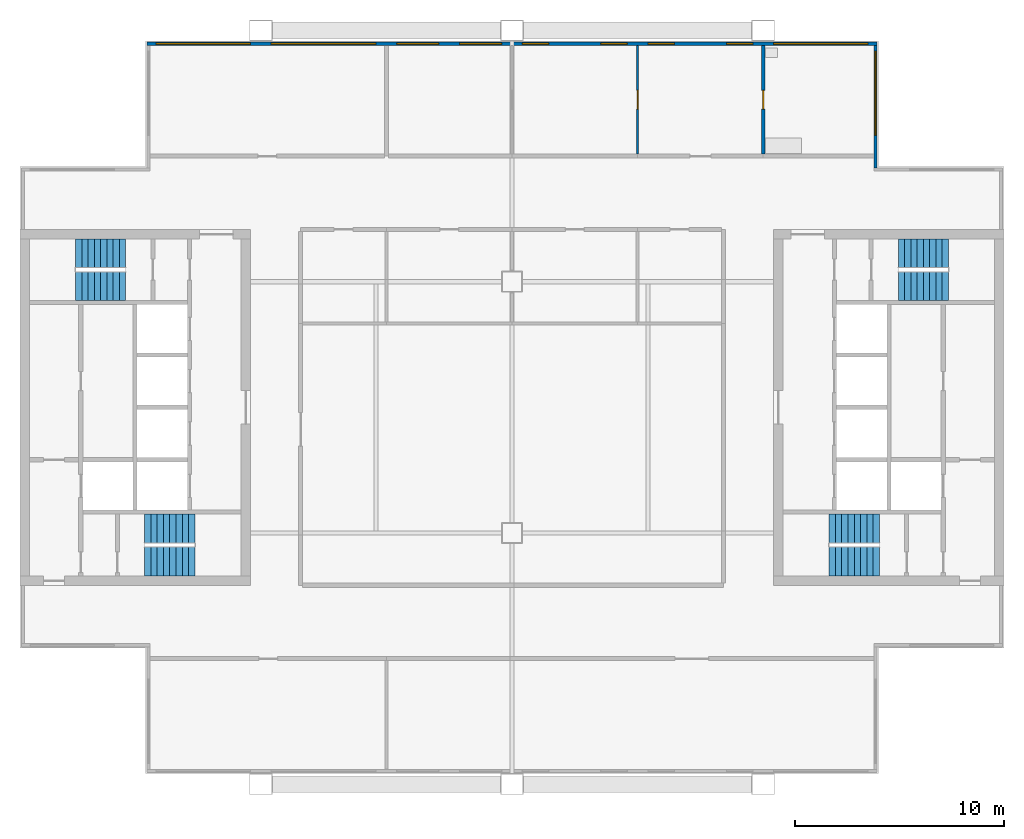
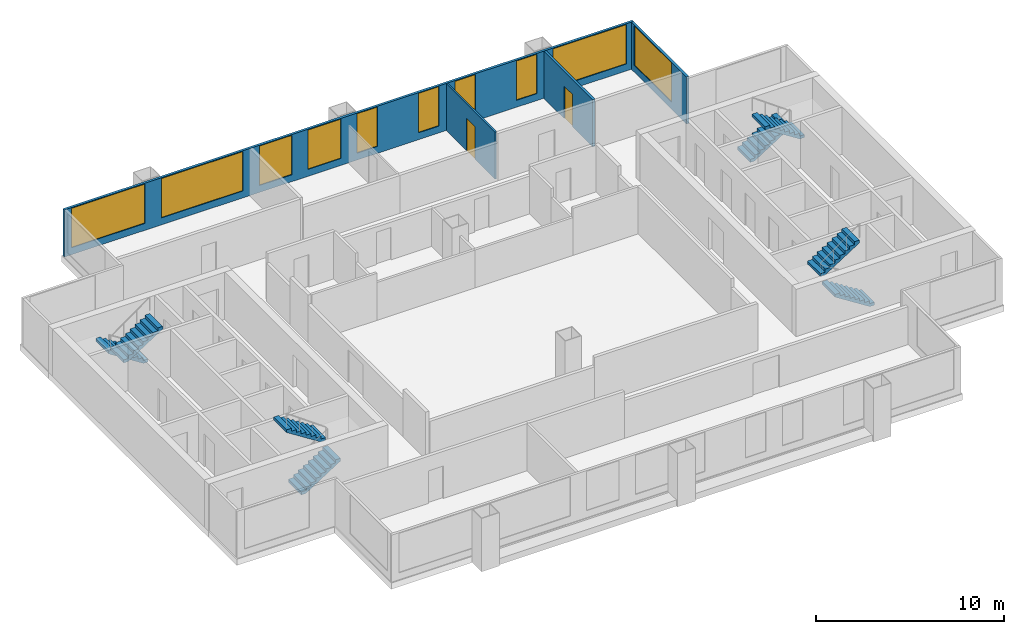
# One storey, part 5 of 7: 10 windows, 8 stair flights, 4 walls, 2 doors, 12 openings, 4 elements without a shape of their own.
"""IFC4 building model written with IfcOpenShell, lengths in metres."""

from ifc_helpers import new_model, si_unit, direction, frame, frame_2d, origin, place, context, subcontext, project, spatial, polyline, rectangle, outline, extrude, material, layer, layer_set, type_object, element, fill, aggregate, save


model = new_model("IFC4")

# Units and contexts
model_context = context("Model", 3, precision=1e-05, world=origin(), true_north=direction((0.0, 1.0)))
body_context = subcontext(model_context, "Body", "Model", "MODEL_VIEW")
ifc_project = project(units=[si_unit("LENGTHUNIT", "METRE"), si_unit("AREAUNIT", "SQUARE_METRE"), si_unit("VOLUMEUNIT", "CUBIC_METRE"), si_unit("PLANEANGLEUNIT", "RADIAN"), si_unit("MASSUNIT", "GRAM", prefix="KILO")], contexts=[model_context])

# Site, building, storey
site_placement = place(None, origin())
site = spatial("IfcSite", under=ifc_project, at=site_placement, CompositionType="ELEMENT")
building_placement = place(site_placement, origin())
building = spatial("IfcBuilding", under=site, at=building_placement, Name="Kitamizu Gate Tower and Museum", CompositionType="ELEMENT")
storey_placement = place(building_placement, frame((0.0, 0.0, 242.10009765625)))
storey = spatial("IfcBuildingStorey", under=building, at=storey_placement, Name="L65", CompositionType="ELEMENT", Elevation=242.10009765625)

# Wall, opening, door
ifc_material_1 = material(Name="Gypsum board on galvanised stud")
ifc_layer_1 = layer(ifc_material_1, 0.10009765625)
ifc_layer_set_1 = layer_set([ifc_layer_1], Name="Gypsum board on galvanised stud")
wall_type_1 = type_object("IfcWallType", Name="Partition 100 NOT RATED", PredefinedType="PARTITIONING", material=ifc_layer_set_1)
wall_1_placement = place(storey_placement, frame((42.0, 42.10009765625, 0.0), z_axis=(0.0, 0.0, 1.0), x_axis=(0.0, 1.0, 0.0)))
wall_1 = element("IfcWall", 1, at=wall_1_placement, inside=storey, type_object=wall_type_1, Name="Partition L65-005", PredefinedType="PARTITIONING", context=body_context, shape_type="SweptSolid", body=[
    extrude(rectangle(XDim=5.179931640625, YDim=0.10009765625, at=frame_2d((2.58984375, 0.0))), origin(), (0.0, 0.0, 1.0), 3.0498046875),
])
opening_1_placement = place(wall_1_placement, frame((2.139892578125, 0.0, 0.0)))
opening_1 = element("IfcOpeningElement", 2, at=opening_1_placement, cuts=wall_1, Name="Opening L65-002", PredefinedType="OPENING", context=body_context, shape_type="SweptSolid", body=[
    extrude(rectangle(XDim=0.89990234375, YDim=2.10009765625, at=frame_2d((0.449951171875, 1.050048828125))), frame((0.0, 0.06005859375, 0.0), z_axis=(0.0, -1.0, 0.0), x_axis=(1.0, 0.0, 0.0)), (0.0, 0.0, 1.0), 0.1201171875),
])
ifc_material_2 = material(Name="Timber door set", Category="wood")
door_type_1 = type_object("IfcDoorType", Name="Room door 900", OperationType="NOTDEFINED", PredefinedType="DOOR", material=ifc_material_2)
door_1_placement = place(opening_1_placement, origin())
door_1 = element("IfcDoor", 3, at=door_1_placement, inside=storey, type_object=door_type_1, Name="Door L65-002", OperationType="SINGLE_SWING_LEFT", OverallHeight=2.10009765625, OverallWidth=0.89990234375, PredefinedType="DOOR", context=body_context, shape_type="SweptSolid", body=[
    extrude(rectangle(XDim=0.89990234375, YDim=2.10009765625, at=frame_2d((0.449951171875, 1.050048828125))), frame((0.0, 0.02490234375, 0.0), z_axis=(0.0, -1.0, 0.0), x_axis=(1.0, 0.0, 0.0)), (0.0, 0.0, 1.0), 0.050048828125),
])
fill(opening_1, door_1)

ifc_material_3 = material(Name="Gypsum board on galvanised stud")
ifc_layer_2 = layer(ifc_material_3, 0.14990234375)
ifc_layer_set_2 = layer_set([ifc_layer_2], Name="Gypsum board on galvanised stud")
wall_type_2 = type_object("IfcWallType", Name="Partition 150", PredefinedType="PARTITIONING", material=ifc_layer_set_2)
wall_2_placement = place(storey_placement, frame((48.0, 42.10009765625, 0.0), z_axis=(0.0, 0.0, 1.0), x_axis=(0.0, 1.0, 0.0)))
wall_2 = element("IfcWall", 4, at=wall_2_placement, inside=storey, type_object=wall_type_2, Name="Partition L65-007", PredefinedType="PARTITIONING", context=body_context, shape_type="SweptSolid", body=[
    extrude(rectangle(XDim=5.179931640625, YDim=0.14990234375, at=frame_2d((2.58984375, 0.0))), origin(), (0.0, 0.0, 1.0), 3.0498046875),
])
opening_2_placement = place(wall_2_placement, frame((2.139892578125, 0.0, 0.0)))
opening_2 = element("IfcOpeningElement", 5, at=opening_2_placement, cuts=wall_2, Name="Opening L65-004", PredefinedType="OPENING", context=body_context, shape_type="SweptSolid", body=[
    extrude(rectangle(XDim=0.89990234375, YDim=2.10009765625, at=frame_2d((0.449951171875, 1.050048828125))), frame((0.0, 0.0849609375, 0.0), z_axis=(0.0, -1.0, 0.0), x_axis=(1.0, 0.0, 0.0)), (0.0, 0.0, 1.0), 0.169921875),
])
ifc_material_4 = material(Name="Timber door set", Category="wood")
door_type_2 = type_object("IfcDoorType", Name="Bathroom door 900", OperationType="NOTDEFINED", PredefinedType="DOOR", material=ifc_material_4)
door_2_placement = place(opening_2_placement, frame((0.89990234375, 0.0, 0.0), x_axis=(-1.0, 0.0, 0.0)))
door_2 = element("IfcDoor", 6, at=door_2_placement, inside=storey, type_object=door_type_2, Name="Bathroom door L65-004", OperationType="SINGLE_SWING_RIGHT", OverallHeight=2.10009765625, OverallWidth=0.89990234375, PredefinedType="DOOR", context=body_context, shape_type="SweptSolid", body=[
    extrude(rectangle(XDim=0.89990234375, YDim=2.10009765625, at=frame_2d((0.449951171875, 1.050048828125))), frame((0.0, 0.02490234375, 0.0), z_axis=(0.0, -1.0, 0.0), x_axis=(1.0, 0.0, 0.0)), (0.0, 0.0, 1.0), 0.050048828125),
])
fill(opening_2, door_2)

# Wall, opening, window
ifc_material_5 = material(Name="Bronze anodised aluminium frame with insulated spandrel and tinted glass", Category="aluminium")
ifc_layer_3 = layer(ifc_material_5, 0.14990234375)
ifc_layer_set_3 = layer_set([ifc_layer_3], Name="Bronze anodised aluminium frame with insulated spandrel and tinted glass")
wall_type_3 = type_object("IfcWallType", Name="WINDOW WALL 150 BRONZE FRAME EI 30", PredefinedType="ELEMENTEDWALL", material=ifc_layer_set_3)
wall_3_placement = place(storey_placement, frame((53.364990234375, 41.43994140625, 0.0), z_axis=(0.0, 0.0, 1.0), x_axis=(0.0, 1.0, 0.0)))
wall_3 = element("IfcWall", 7, at=wall_3_placement, inside=storey, type_object=wall_type_3, Name="Window wall east L65", PredefinedType="ELEMENTEDWALL", context=body_context, shape_type="SweptSolid", body=[
    extrude(rectangle(XDim=5.85009765625, YDim=0.14990234375, at=frame_2d((2.925048828125, 0.0))), origin(), (0.0, 0.0, 1.0), 3.0498046875),
])
opening_3_placement = place(wall_3_placement, frame((1.56005859375, 0.0, 0.449951171875)))
opening_3 = element("IfcOpeningElement", 8, at=opening_3_placement, cuts=wall_3, Name="Opening W16", PredefinedType="OPENING", context=body_context, shape_type="SweptSolid", body=[
    extrude(rectangle(XDim=4.0, YDim=2.550048828125, at=frame_2d((2.0, 1.27490234375))), frame((0.0, 0.0849609375, 0.0), z_axis=(0.0, -1.0, 0.0), x_axis=(1.0, 0.0, 0.0)), (0.0, 0.0, 1.0), 0.169921875),
])
ifc_material_6 = material(Name="Bronze anodised aluminium frame, tinted triple glazing", Category="aluminium")
window_type_1 = type_object("IfcWindowType", Name="WINDOW 4000 x 2550 SILL 450", PartitioningType="SINGLE_PANEL", PredefinedType="WINDOW", material=ifc_material_6)
window_1_placement = place(opening_3_placement, origin())
window_1 = element("IfcWindow", 9, at=window_1_placement, inside=storey, type_object=window_type_1, Name="Window W16 L65", OverallHeight=2.550048828125, OverallWidth=4.0, PartitioningType="SINGLE_PANEL", PredefinedType="WINDOW", context=body_context, shape_type="SweptSolid", body=[
    extrude(rectangle(XDim=4.0, YDim=2.550048828125, at=frame_2d((2.0, 1.27490234375))), frame((0.0, 0.030029296875, 0.0), z_axis=(0.0, -1.0, 0.0), x_axis=(1.0, 0.0, 0.0)), (0.0, 0.0, 1.0), 0.06005859375),
])
fill(opening_3, window_1)

# Wall, openings, windows
wall_4_placement = place(storey_placement, frame((18.56005859375, 47.364990234375, 0.0), z_axis=(0.0, 0.0, 1.0), x_axis=(1.0, 0.0, 0.0)))
wall_4 = element("IfcWall", 10, at=wall_4_placement, inside=storey, type_object=wall_type_3, Name="Window wall north L65", PredefinedType="ELEMENTEDWALL", context=body_context, shape_type="SweptSolid", body=[
    extrude(rectangle(XDim=34.8798828125, YDim=0.14990234375, at=frame_2d((17.43994140625, 0.0))), origin(), (0.0, 0.0, 1.0), 3.0498046875),
])
opening_4_placement = place(wall_4_placement, frame((0.43994140625, 0.0, 0.449951171875)))
opening_4 = element("IfcOpeningElement", 11, at=opening_4_placement, cuts=wall_4, Name="Opening W15", PredefinedType="OPENING", context=body_context, shape_type="SweptSolid", body=[
    extrude(rectangle(XDim=4.5, YDim=2.550048828125, at=frame_2d((2.25, 1.27490234375))), frame((0.0, 0.0849609375, 0.0), z_axis=(0.0, -1.0, 0.0), x_axis=(1.0, 0.0, 0.0)), (0.0, 0.0, 1.0), 0.169921875),
])
opening_5_placement = place(wall_4_placement, frame((5.93994140625, 0.0, 0.449951171875)))
opening_5 = element("IfcOpeningElement", 12, at=opening_5_placement, cuts=wall_4, Name="Opening W1", PredefinedType="OPENING", context=body_context, shape_type="SweptSolid", body=[
    extrude(rectangle(XDim=5.0, YDim=2.550048828125, at=frame_2d((2.5, 1.27490234375))), frame((0.0, 0.0849609375, 0.0), z_axis=(0.0, -1.0, 0.0), x_axis=(1.0, 0.0, 0.0)), (0.0, 0.0, 1.0), 0.169921875),
])
opening_6_placement = place(wall_4_placement, frame((11.93994140625, 0.0, 0.449951171875)))
opening_6 = element("IfcOpeningElement", 13, at=opening_6_placement, cuts=wall_4, Name="Opening W2", PredefinedType="OPENING", context=body_context, shape_type="SweptSolid", body=[
    extrude(rectangle(XDim=2.0, YDim=2.550048828125, at=frame_2d((1.0, 1.27490234375))), frame((0.0, 0.0849609375, 0.0), z_axis=(0.0, -1.0, 0.0), x_axis=(1.0, 0.0, 0.0)), (0.0, 0.0, 1.0), 0.169921875),
])
opening_7_placement = place(wall_4_placement, frame((14.93994140625, 0.0, 0.449951171875)))
opening_7 = element("IfcOpeningElement", 14, at=opening_7_placement, cuts=wall_4, Name="Opening W2", PredefinedType="OPENING", context=body_context, shape_type="SweptSolid", body=[
    extrude(rectangle(XDim=2.0, YDim=2.550048828125, at=frame_2d((1.0, 1.27490234375))), frame((0.0, 0.0849609375, 0.0), z_axis=(0.0, -1.0, 0.0), x_axis=(1.0, 0.0, 0.0)), (0.0, 0.0, 1.0), 0.169921875),
])
opening_8_placement = place(wall_4_placement, frame((17.93994140625, 0.0, 0.449951171875)))
opening_8 = element("IfcOpeningElement", 15, at=opening_8_placement, cuts=wall_4, Name="Opening W27", PredefinedType="OPENING", context=body_context, shape_type="SweptSolid", body=[
    extrude(rectangle(XDim=1.25, YDim=2.550048828125, at=frame_2d((0.625, 1.27490234375))), frame((0.0, 0.0849609375, 0.0), z_axis=(0.0, -1.0, 0.0), x_axis=(1.0, 0.0, 0.0)), (0.0, 0.0, 1.0), 0.169921875),
])
opening_9_placement = place(wall_4_placement, frame((21.68994140625, 0.0, 0.449951171875)))
opening_9 = element("IfcOpeningElement", 16, at=opening_9_placement, cuts=wall_4, Name="Opening W27", PredefinedType="OPENING", context=body_context, shape_type="SweptSolid", body=[
    extrude(rectangle(XDim=1.25, YDim=2.550048828125, at=frame_2d((0.625, 1.27490234375))), frame((0.0, 0.0849609375, 0.0), z_axis=(0.0, -1.0, 0.0), x_axis=(1.0, 0.0, 0.0)), (0.0, 0.0, 1.0), 0.169921875),
])
opening_10_placement = place(wall_4_placement, frame((23.93994140625, 0.0, 0.449951171875)))
opening_10 = element("IfcOpeningElement", 17, at=opening_10_placement, cuts=wall_4, Name="Opening W27", PredefinedType="OPENING", context=body_context, shape_type="SweptSolid", body=[
    extrude(rectangle(XDim=1.25, YDim=2.550048828125, at=frame_2d((0.625, 1.27490234375))), frame((0.0, 0.0849609375, 0.0), z_axis=(0.0, -1.0, 0.0), x_axis=(1.0, 0.0, 0.0)), (0.0, 0.0, 1.0), 0.169921875),
])
opening_11_placement = place(wall_4_placement, frame((27.68994140625, 0.0, 0.449951171875)))
opening_11 = element("IfcOpeningElement", 18, at=opening_11_placement, cuts=wall_4, Name="Opening W27", PredefinedType="OPENING", context=body_context, shape_type="SweptSolid", body=[
    extrude(rectangle(XDim=1.25, YDim=2.550048828125, at=frame_2d((0.625, 1.27490234375))), frame((0.0, 0.0849609375, 0.0), z_axis=(0.0, -1.0, 0.0), x_axis=(1.0, 0.0, 0.0)), (0.0, 0.0, 1.0), 0.169921875),
])
opening_12_placement = place(wall_4_placement, frame((29.93994140625, 0.0, 0.449951171875)))
opening_12 = element("IfcOpeningElement", 19, at=opening_12_placement, cuts=wall_4, Name="Opening W15", PredefinedType="OPENING", context=body_context, shape_type="SweptSolid", body=[
    extrude(rectangle(XDim=4.5, YDim=2.550048828125, at=frame_2d((2.25, 1.27490234375))), frame((0.0, 0.0849609375, 0.0), z_axis=(0.0, -1.0, 0.0), x_axis=(1.0, 0.0, 0.0)), (0.0, 0.0, 1.0), 0.169921875),
])
ifc_material_7 = material(Name="Bronze anodised aluminium frame, tinted triple glazing", Category="aluminium")
window_type_2 = type_object("IfcWindowType", Name="WINDOW 1250 x 2550 SILL 450", PartitioningType="SINGLE_PANEL", PredefinedType="WINDOW", material=ifc_material_7)
window_2_placement = place(opening_8_placement, origin())
window_2 = element("IfcWindow", 20, at=window_2_placement, inside=storey, type_object=window_type_2, Name="Window W27 L65", OverallHeight=2.550048828125, OverallWidth=1.25, PartitioningType="SINGLE_PANEL", PredefinedType="WINDOW", context=body_context, shape_type="SweptSolid", body=[
    extrude(rectangle(XDim=1.25, YDim=2.550048828125, at=frame_2d((0.625, 1.27490234375))), frame((0.0, 0.030029296875, 0.0), z_axis=(0.0, -1.0, 0.0), x_axis=(1.0, 0.0, 0.0)), (0.0, 0.0, 1.0), 0.06005859375),
])
fill(opening_8, window_2)
window_3_placement = place(opening_9_placement, origin())
window_3 = element("IfcWindow", 21, at=window_3_placement, inside=storey, type_object=window_type_2, Name="Window W27 L65", OverallHeight=2.550048828125, OverallWidth=1.25, PartitioningType="SINGLE_PANEL", PredefinedType="WINDOW", context=body_context, shape_type="SweptSolid", body=[
    extrude(rectangle(XDim=1.25, YDim=2.550048828125, at=frame_2d((0.625, 1.27490234375))), frame((0.0, 0.030029296875, 0.0), z_axis=(0.0, -1.0, 0.0), x_axis=(1.0, 0.0, 0.0)), (0.0, 0.0, 1.0), 0.06005859375),
])
fill(opening_9, window_3)
window_4_placement = place(opening_10_placement, origin())
window_4 = element("IfcWindow", 22, at=window_4_placement, inside=storey, type_object=window_type_2, Name="Window W27 L65", OverallHeight=2.550048828125, OverallWidth=1.25, PartitioningType="SINGLE_PANEL", PredefinedType="WINDOW", context=body_context, shape_type="SweptSolid", body=[
    extrude(rectangle(XDim=1.25, YDim=2.550048828125, at=frame_2d((0.625, 1.27490234375))), frame((0.0, 0.030029296875, 0.0), z_axis=(0.0, -1.0, 0.0), x_axis=(1.0, 0.0, 0.0)), (0.0, 0.0, 1.0), 0.06005859375),
])
fill(opening_10, window_4)
window_5_placement = place(opening_11_placement, origin())
window_5 = element("IfcWindow", 23, at=window_5_placement, inside=storey, type_object=window_type_2, Name="Window W27 L65", OverallHeight=2.550048828125, OverallWidth=1.25, PartitioningType="SINGLE_PANEL", PredefinedType="WINDOW", context=body_context, shape_type="SweptSolid", body=[
    extrude(rectangle(XDim=1.25, YDim=2.550048828125, at=frame_2d((0.625, 1.27490234375))), frame((0.0, 0.030029296875, 0.0), z_axis=(0.0, -1.0, 0.0), x_axis=(1.0, 0.0, 0.0)), (0.0, 0.0, 1.0), 0.06005859375),
])
fill(opening_11, window_5)
ifc_material_8 = material(Name="Bronze anodised aluminium frame, tinted triple glazing", Category="aluminium")
window_type_3 = type_object("IfcWindowType", Name="WINDOW 2000 x 2550 SILL 450", PartitioningType="SINGLE_PANEL", PredefinedType="WINDOW", material=ifc_material_8)
window_6_placement = place(opening_6_placement, origin())
window_6 = element("IfcWindow", 24, at=window_6_placement, inside=storey, type_object=window_type_3, Name="Window W2 L65", OverallHeight=2.550048828125, OverallWidth=2.0, PartitioningType="SINGLE_PANEL", PredefinedType="WINDOW", context=body_context, shape_type="SweptSolid", body=[
    extrude(rectangle(XDim=2.0, YDim=2.550048828125, at=frame_2d((1.0, 1.27490234375))), frame((0.0, 0.030029296875, 0.0), z_axis=(0.0, -1.0, 0.0), x_axis=(1.0, 0.0, 0.0)), (0.0, 0.0, 1.0), 0.06005859375),
])
fill(opening_6, window_6)
window_7_placement = place(opening_7_placement, origin())
window_7 = element("IfcWindow", 25, at=window_7_placement, inside=storey, type_object=window_type_3, Name="Window W2 L65", OverallHeight=2.550048828125, OverallWidth=2.0, PartitioningType="SINGLE_PANEL", PredefinedType="WINDOW", context=body_context, shape_type="SweptSolid", body=[
    extrude(rectangle(XDim=2.0, YDim=2.550048828125, at=frame_2d((1.0, 1.27490234375))), frame((0.0, 0.030029296875, 0.0), z_axis=(0.0, -1.0, 0.0), x_axis=(1.0, 0.0, 0.0)), (0.0, 0.0, 1.0), 0.06005859375),
])
fill(opening_7, window_7)
ifc_material_9 = material(Name="Bronze anodised aluminium frame, tinted triple glazing", Category="aluminium")
window_type_4 = type_object("IfcWindowType", Name="WINDOW 4500 x 2550 SILL 450", PartitioningType="SINGLE_PANEL", PredefinedType="WINDOW", material=ifc_material_9)
window_8_placement = place(opening_4_placement, origin())
window_8 = element("IfcWindow", 26, at=window_8_placement, inside=storey, type_object=window_type_4, Name="Window W15 L65", OverallHeight=2.550048828125, OverallWidth=4.5, PartitioningType="SINGLE_PANEL", PredefinedType="WINDOW", context=body_context, shape_type="SweptSolid", body=[
    extrude(rectangle(XDim=4.5, YDim=2.550048828125, at=frame_2d((2.25, 1.27490234375))), frame((0.0, 0.030029296875, 0.0), z_axis=(0.0, -1.0, 0.0), x_axis=(1.0, 0.0, 0.0)), (0.0, 0.0, 1.0), 0.06005859375),
])
fill(opening_4, window_8)
window_9_placement = place(opening_12_placement, origin())
window_9 = element("IfcWindow", 27, at=window_9_placement, inside=storey, type_object=window_type_4, Name="Window W15 L65", OverallHeight=2.550048828125, OverallWidth=4.5, PartitioningType="SINGLE_PANEL", PredefinedType="WINDOW", context=body_context, shape_type="SweptSolid", body=[
    extrude(rectangle(XDim=4.5, YDim=2.550048828125, at=frame_2d((2.25, 1.27490234375))), frame((0.0, 0.030029296875, 0.0), z_axis=(0.0, -1.0, 0.0), x_axis=(1.0, 0.0, 0.0)), (0.0, 0.0, 1.0), 0.06005859375),
])
fill(opening_12, window_9)
ifc_material_10 = material(Name="Bronze anodised aluminium frame, tinted triple glazing", Category="aluminium")
window_type_5 = type_object("IfcWindowType", Name="WINDOW 5000 x 2550 SILL 450", PartitioningType="SINGLE_PANEL", PredefinedType="WINDOW", material=ifc_material_10)
window_10_placement = place(opening_5_placement, origin())
window_10 = element("IfcWindow", 28, at=window_10_placement, inside=storey, type_object=window_type_5, Name="Window W1 L65", OverallHeight=2.550048828125, OverallWidth=5.0, PartitioningType="SINGLE_PANEL", PredefinedType="WINDOW", context=body_context, shape_type="SweptSolid", body=[
    extrude(rectangle(XDim=5.0, YDim=2.550048828125, at=frame_2d((2.5, 1.27490234375))), frame((0.0, 0.030029296875, 0.0), z_axis=(0.0, -1.0, 0.0), x_axis=(1.0, 0.0, 0.0)), (0.0, 0.0, 1.0), 0.06005859375),
])
fill(opening_5, window_10)

# Stair, stair flights
ifc_material_11 = material(Name="Concrete Fc42", Category="concrete")
stair_type = type_object("IfcStairType", Name="Exit stair 1375 wide 192 rise 300 going", PredefinedType="HALF_TURN_STAIR", material=ifc_material_11)
stair_1_placement = place(storey_placement, origin())
stair_1 = element("IfcStair", 29, at=stair_1_placement, inside=storey, type_object=stair_type, Name="Exit stair ST1", PredefinedType="HALF_TURN_STAIR")
ifc_material_12 = material(Name="Concrete Fc42", Category="concrete")
stair_flight_type = type_object("IfcStairFlightType", Name="Stair flight 1375 wide 192 rise 300 going", PredefinedType="STRAIGHT", material=ifc_material_12)
stair_flight_1_placement = place(storey_placement, frame((18.449951171875, 22.637451171875, 0.0), z_axis=(0.0, 0.0, 1.0), x_axis=(1.0, 0.0, 0.0)))
stair_flight_1 = element("IfcStairFlight", 30, at=stair_flight_1_placement, type_object=stair_flight_type, Name="ST1 flight 1", NumberOfRisers=9, NumberOfTreads=8, PredefinedType="STRAIGHT", RiserHeight=0.191666667, TreadLength=0.3, context=body_context, shape_type="SweptSolid", body=[
    extrude(outline(polyline([(0.0, 0.0), (0.0, 0.191650390625), (0.300048828125, 0.191650390625), (0.300048828125, 0.38330078125), (0.60009765625, 0.38330078125), (0.60009765625, 0.574951171875), (0.89990234375, 0.574951171875), (0.89990234375, 0.7666015625), (1.199951171875, 0.7666015625), (1.199951171875, 0.958251953125), (1.5, 0.958251953125), (1.5, 1.14990234375), (1.800048828125, 1.14990234375), (1.800048828125, 1.341552734375), (2.10009765625, 1.341552734375), (2.10009765625, 1.533447265625), (2.39990234375, 1.533447265625), (2.39990234375, 1.72509765625), (2.39990234375, 1.35546875), (0.2783203125, 0.0), (0.0, 0.0)])), frame((0.0, 0.6875, 0.0), z_axis=(0.0, -1.0, 0.0), x_axis=(1.0, 0.0, 0.0)), (0.0, 0.0, 1.0), 1.375),
])
stair_flight_2_placement = place(storey_placement, frame((20.85009765625, 24.21240234375, 1.724853515625), z_axis=(0.0, 0.0, 1.0), x_axis=(-1.0, 0.0, 0.0)))
stair_flight_2 = element("IfcStairFlight", 31, at=stair_flight_2_placement, type_object=stair_flight_type, Name="ST1 flight 2", NumberOfRisers=9, NumberOfTreads=8, PredefinedType="STRAIGHT", RiserHeight=0.191666667, TreadLength=0.3, context=body_context, shape_type="SweptSolid", body=[
    extrude(outline(polyline([(0.0, 0.0), (0.0, 0.191650390625), (0.300048828125, 0.191650390625), (0.300048828125, 0.38330078125), (0.60009765625, 0.38330078125), (0.60009765625, 0.574951171875), (0.89990234375, 0.574951171875), (0.89990234375, 0.7666015625), (1.199951171875, 0.7666015625), (1.199951171875, 0.958251953125), (1.5, 0.958251953125), (1.5, 1.14990234375), (1.800048828125, 1.14990234375), (1.800048828125, 1.341552734375), (2.10009765625, 1.341552734375), (2.10009765625, 1.533447265625), (2.39990234375, 1.533447265625), (2.39990234375, 1.72509765625), (2.39990234375, 1.35546875), (0.2783203125, 0.0), (0.0, 0.0)])), frame((0.0, 0.6875, 0.0), z_axis=(0.0, -1.0, 0.0), x_axis=(1.0, 0.0, 0.0)), (0.0, 0.0, 1.0), 1.375),
])
aggregate(stair_1, [stair_flight_1, stair_flight_2])

stair_2_placement = place(storey_placement, origin())
stair_2 = element("IfcStair", 32, at=stair_2_placement, inside=storey, type_object=stair_type, Name="Exit stair ST2", PredefinedType="HALF_TURN_STAIR")
stair_flight_3_placement = place(storey_placement, frame((17.550048828125, 37.362548828125, 0.0), z_axis=(0.0, 0.0, 1.0), x_axis=(-1.0, 0.0, 0.0)))
stair_flight_3 = element("IfcStairFlight", 33, at=stair_flight_3_placement, type_object=stair_flight_type, Name="ST2 flight 1", NumberOfRisers=9, NumberOfTreads=8, PredefinedType="STRAIGHT", RiserHeight=0.191666667, TreadLength=0.3, context=body_context, shape_type="SweptSolid", body=[
    extrude(outline(polyline([(0.0, 0.0), (0.0, 0.191650390625), (0.300048828125, 0.191650390625), (0.300048828125, 0.38330078125), (0.60009765625, 0.38330078125), (0.60009765625, 0.574951171875), (0.89990234375, 0.574951171875), (0.89990234375, 0.7666015625), (1.199951171875, 0.7666015625), (1.199951171875, 0.958251953125), (1.5, 0.958251953125), (1.5, 1.14990234375), (1.800048828125, 1.14990234375), (1.800048828125, 1.341552734375), (2.10009765625, 1.341552734375), (2.10009765625, 1.533447265625), (2.39990234375, 1.533447265625), (2.39990234375, 1.72509765625), (2.39990234375, 1.35546875), (0.2783203125, 0.0), (0.0, 0.0)])), frame((0.0, 0.6875, 0.0), z_axis=(0.0, -1.0, 0.0), x_axis=(1.0, 0.0, 0.0)), (0.0, 0.0, 1.0), 1.375),
])
stair_flight_4_placement = place(storey_placement, frame((15.14990234375, 35.78759765625, 1.724853515625), z_axis=(0.0, 0.0, 1.0), x_axis=(1.0, 0.0, 0.0)))
stair_flight_4 = element("IfcStairFlight", 34, at=stair_flight_4_placement, type_object=stair_flight_type, Name="ST2 flight 2", NumberOfRisers=9, NumberOfTreads=8, PredefinedType="STRAIGHT", RiserHeight=0.191666667, TreadLength=0.3, context=body_context, shape_type="SweptSolid", body=[
    extrude(outline(polyline([(0.0, 0.0), (0.0, 0.191650390625), (0.300048828125, 0.191650390625), (0.300048828125, 0.38330078125), (0.60009765625, 0.38330078125), (0.60009765625, 0.574951171875), (0.89990234375, 0.574951171875), (0.89990234375, 0.7666015625), (1.199951171875, 0.7666015625), (1.199951171875, 0.958251953125), (1.5, 0.958251953125), (1.5, 1.14990234375), (1.800048828125, 1.14990234375), (1.800048828125, 1.341552734375), (2.10009765625, 1.341552734375), (2.10009765625, 1.533447265625), (2.39990234375, 1.533447265625), (2.39990234375, 1.72509765625), (2.39990234375, 1.35546875), (0.2783203125, 0.0), (0.0, 0.0)])), frame((0.0, 0.6875, 0.0), z_axis=(0.0, -1.0, 0.0), x_axis=(1.0, 0.0, 0.0)), (0.0, 0.0, 1.0), 1.375),
])
aggregate(stair_2, [stair_flight_3, stair_flight_4])

stair_3_placement = place(storey_placement, origin())
stair_3 = element("IfcStair", 35, at=stair_3_placement, inside=storey, type_object=stair_type, Name="Exit stair ST3", PredefinedType="HALF_TURN_STAIR")
stair_flight_5_placement = place(storey_placement, frame((53.550048828125, 22.637451171875, 0.0), z_axis=(0.0, 0.0, 1.0), x_axis=(-1.0, 0.0, 0.0)))
stair_flight_5 = element("IfcStairFlight", 36, at=stair_flight_5_placement, type_object=stair_flight_type, Name="ST3 flight 1", NumberOfRisers=9, NumberOfTreads=8, PredefinedType="STRAIGHT", RiserHeight=0.191666667, TreadLength=0.3, context=body_context, shape_type="SweptSolid", body=[
    extrude(outline(polyline([(0.0, 0.0), (0.0, 0.191650390625), (0.300048828125, 0.191650390625), (0.300048828125, 0.38330078125), (0.60009765625, 0.38330078125), (0.60009765625, 0.574951171875), (0.89990234375, 0.574951171875), (0.89990234375, 0.7666015625), (1.199951171875, 0.7666015625), (1.199951171875, 0.958251953125), (1.5, 0.958251953125), (1.5, 1.14990234375), (1.800048828125, 1.14990234375), (1.800048828125, 1.341552734375), (2.10009765625, 1.341552734375), (2.10009765625, 1.533447265625), (2.39990234375, 1.533447265625), (2.39990234375, 1.72509765625), (2.39990234375, 1.35546875), (0.2783203125, 0.0), (0.0, 0.0)])), frame((0.0, 0.6875, 0.0), z_axis=(0.0, -1.0, 0.0), x_axis=(1.0, 0.0, 0.0)), (0.0, 0.0, 1.0), 1.375),
])
stair_flight_6_placement = place(storey_placement, frame((51.14990234375, 24.21240234375, 1.724853515625), z_axis=(0.0, 0.0, 1.0), x_axis=(1.0, 0.0, 0.0)))
stair_flight_6 = element("IfcStairFlight", 37, at=stair_flight_6_placement, type_object=stair_flight_type, Name="ST3 flight 2", NumberOfRisers=9, NumberOfTreads=8, PredefinedType="STRAIGHT", RiserHeight=0.191666667, TreadLength=0.3, context=body_context, shape_type="SweptSolid", body=[
    extrude(outline(polyline([(0.0, 0.0), (0.0, 0.191650390625), (0.300048828125, 0.191650390625), (0.300048828125, 0.38330078125), (0.60009765625, 0.38330078125), (0.60009765625, 0.574951171875), (0.89990234375, 0.574951171875), (0.89990234375, 0.7666015625), (1.199951171875, 0.7666015625), (1.199951171875, 0.958251953125), (1.5, 0.958251953125), (1.5, 1.14990234375), (1.800048828125, 1.14990234375), (1.800048828125, 1.341552734375), (2.10009765625, 1.341552734375), (2.10009765625, 1.533447265625), (2.39990234375, 1.533447265625), (2.39990234375, 1.72509765625), (2.39990234375, 1.35546875), (0.2783203125, 0.0), (0.0, 0.0)])), frame((0.0, 0.6875, 0.0), z_axis=(0.0, -1.0, 0.0), x_axis=(1.0, 0.0, 0.0)), (0.0, 0.0, 1.0), 1.375),
])
aggregate(stair_3, [stair_flight_5, stair_flight_6])

stair_4_placement = place(storey_placement, origin())
stair_4 = element("IfcStair", 38, at=stair_4_placement, inside=storey, type_object=stair_type, Name="Exit stair ST4", PredefinedType="HALF_TURN_STAIR")
stair_flight_7_placement = place(storey_placement, frame((54.449951171875, 37.362548828125, 0.0), z_axis=(0.0, 0.0, 1.0), x_axis=(1.0, 0.0, 0.0)))
stair_flight_7 = element("IfcStairFlight", 39, at=stair_flight_7_placement, type_object=stair_flight_type, Name="ST4 flight 1", NumberOfRisers=9, NumberOfTreads=8, PredefinedType="STRAIGHT", RiserHeight=0.191666667, TreadLength=0.3, context=body_context, shape_type="SweptSolid", body=[
    extrude(outline(polyline([(0.0, 0.0), (0.0, 0.191650390625), (0.300048828125, 0.191650390625), (0.300048828125, 0.38330078125), (0.60009765625, 0.38330078125), (0.60009765625, 0.574951171875), (0.89990234375, 0.574951171875), (0.89990234375, 0.7666015625), (1.199951171875, 0.7666015625), (1.199951171875, 0.958251953125), (1.5, 0.958251953125), (1.5, 1.14990234375), (1.800048828125, 1.14990234375), (1.800048828125, 1.341552734375), (2.10009765625, 1.341552734375), (2.10009765625, 1.533447265625), (2.39990234375, 1.533447265625), (2.39990234375, 1.72509765625), (2.39990234375, 1.35546875), (0.2783203125, 0.0), (0.0, 0.0)])), frame((0.0, 0.6875, 0.0), z_axis=(0.0, -1.0, 0.0), x_axis=(1.0, 0.0, 0.0)), (0.0, 0.0, 1.0), 1.375),
])
stair_flight_8_placement = place(storey_placement, frame((56.85009765625, 35.78759765625, 1.724853515625), z_axis=(0.0, 0.0, 1.0), x_axis=(-1.0, 0.0, 0.0)))
stair_flight_8 = element("IfcStairFlight", 40, at=stair_flight_8_placement, type_object=stair_flight_type, Name="ST4 flight 2", NumberOfRisers=9, NumberOfTreads=8, PredefinedType="STRAIGHT", RiserHeight=0.191666667, TreadLength=0.3, context=body_context, shape_type="SweptSolid", body=[
    extrude(outline(polyline([(0.0, 0.0), (0.0, 0.191650390625), (0.300048828125, 0.191650390625), (0.300048828125, 0.38330078125), (0.60009765625, 0.38330078125), (0.60009765625, 0.574951171875), (0.89990234375, 0.574951171875), (0.89990234375, 0.7666015625), (1.199951171875, 0.7666015625), (1.199951171875, 0.958251953125), (1.5, 0.958251953125), (1.5, 1.14990234375), (1.800048828125, 1.14990234375), (1.800048828125, 1.341552734375), (2.10009765625, 1.341552734375), (2.10009765625, 1.533447265625), (2.39990234375, 1.533447265625), (2.39990234375, 1.72509765625), (2.39990234375, 1.35546875), (0.2783203125, 0.0), (0.0, 0.0)])), frame((0.0, 0.6875, 0.0), z_axis=(0.0, -1.0, 0.0), x_axis=(1.0, 0.0, 0.0)), (0.0, 0.0, 1.0), 1.375),
])
aggregate(stair_4, [stair_flight_7, stair_flight_8])

save(model, "model.ifc")
